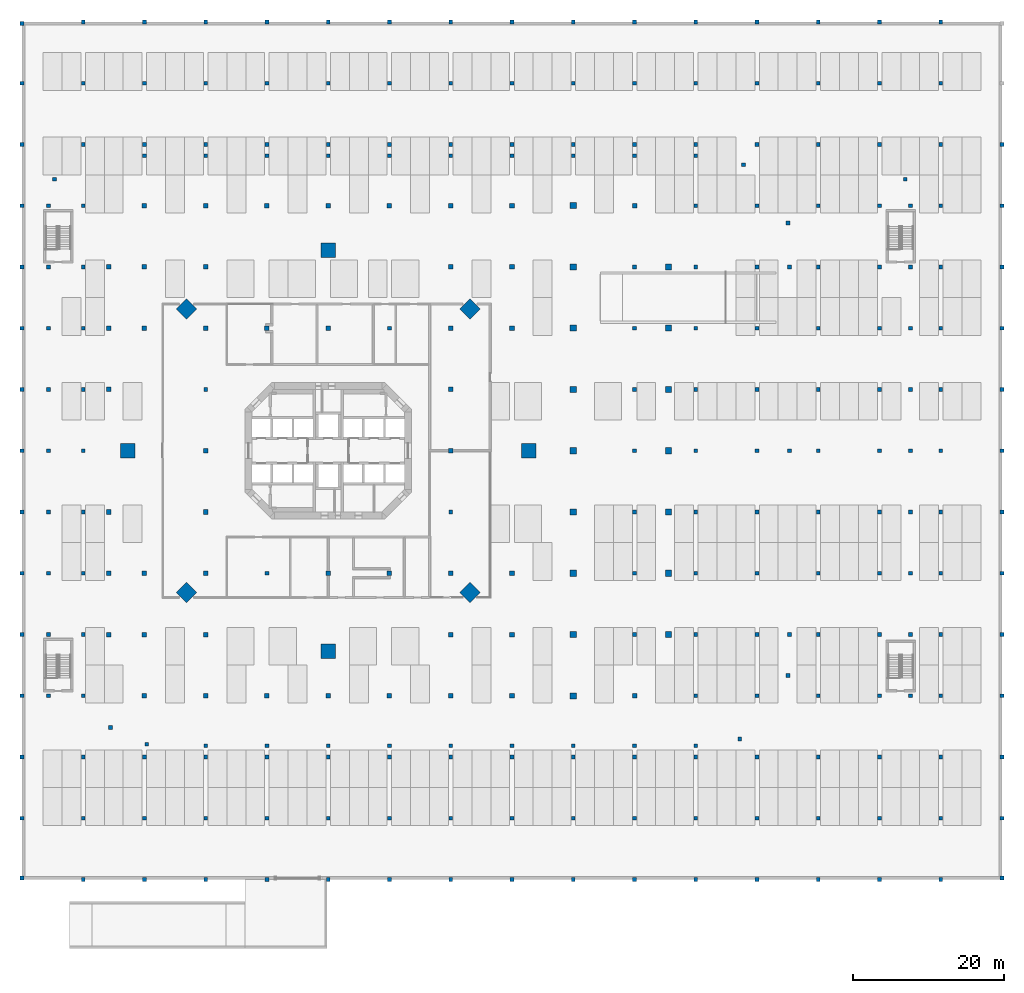
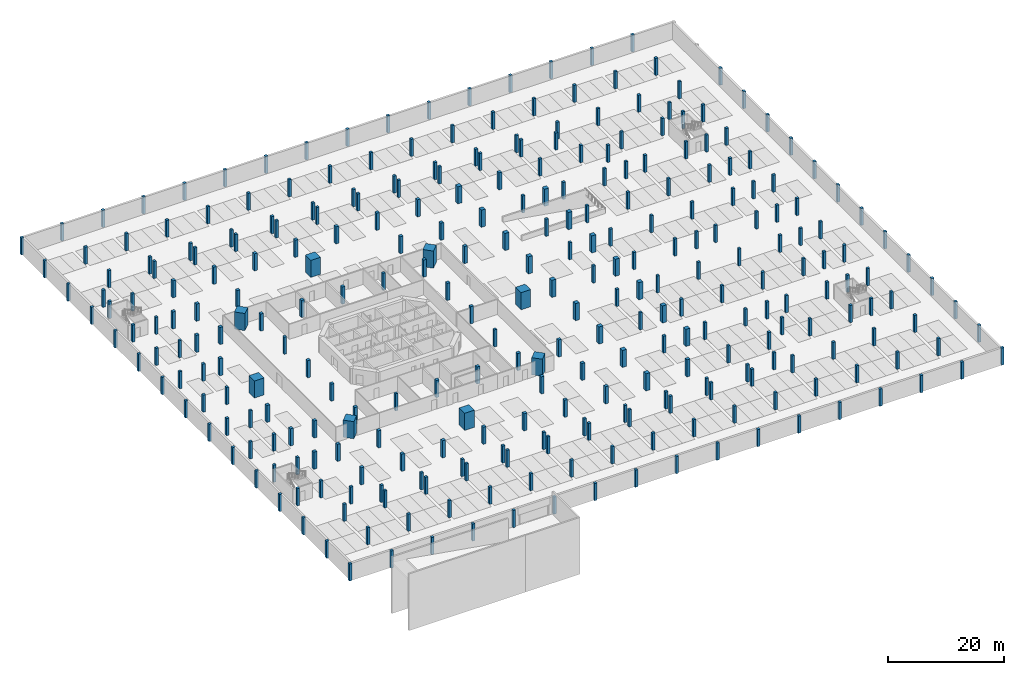
# One storey, part 1 of 14: 301 columns.
"""IFC4 building model written with IfcOpenShell, lengths in metres."""

from ifc_helpers import new_model, si_unit, direction, frame, origin, origin_2d, place, context, subcontext, project, spatial, rectangle, extrude, material, material_profile, profile_set, type_object, element, save


model = new_model("IFC4")

# Units and contexts
model_context = context("Model", 3, precision=1e-05, world=origin(), true_north=direction((0.0, 1.0)))
body_context = subcontext(model_context, "Body", "Model", "MODEL_VIEW")
ifc_project = project(units=[si_unit("LENGTHUNIT", "METRE"), si_unit("AREAUNIT", "SQUARE_METRE"), si_unit("VOLUMEUNIT", "CUBIC_METRE"), si_unit("PLANEANGLEUNIT", "RADIAN"), si_unit("MASSUNIT", "GRAM", prefix="KILO")], contexts=[model_context])

# Site, building, storey
site_placement = place(None, origin())
site = spatial("IfcSite", under=ifc_project, at=site_placement, CompositionType="ELEMENT")
building_placement = place(site_placement, origin())
building = spatial("IfcBuilding", under=site, at=building_placement, Name="Torre Triforio", CompositionType="ELEMENT")
storey_placement = place(building_placement, frame((0.0, 0.0, -3.60009765625)))
storey = spatial("IfcBuildingStorey", under=building, at=storey_placement, Name="B1", CompositionType="ELEMENT", Elevation=-3.60009765625)

# Columns
ifc_material_1 = material(Name="Concrete C50", Category="concrete")
ifc_material_profile_1 = material_profile(ifc_material_1, rectangle(XDim=0.5, YDim=0.5, at=origin_2d()), Name="RC 500x500")
ifc_profile_set_1 = profile_set([ifc_material_profile_1], Name="Concrete C50")
column_type_1 = type_object("IfcColumnType", Name="Column RC 500x500 C50", PredefinedType="COLUMN", material=ifc_profile_set_1)
for number, where, z_axis, x_axis, name in (
    (1, (-40.5, -56.5, 0.0), (0.0, 0.0, 1.0), (1.0, 0.0, 0.0), "COL.G.B1.1-A"),
    (2, (-40.5, -48.60009765625, 0.0), (0.0, 0.0, 1.0), (1.0, 0.0, 0.0), "COL.G.B1.1-B"),
    (3, (-40.5, -40.5, 0.0), (0.0, 0.0, 1.0), (1.0, 0.0, 0.0), "COL.G.B1.1-C"),
    (4, (-40.5, -32.39990234375, 0.0), (0.0, 0.0, 1.0), (1.0, 0.0, 0.0), "COL.G.B1.1-D"),
    (5, (-40.5, -24.300048828125, 0.0), (0.0, 0.0, 1.0), (1.0, 0.0, 0.0), "COL.G.B1.1-E"),
    (6, (-40.5, -16.199951171875, 0.0), (0.0, 0.0, 1.0), (1.0, 0.0, 0.0), "COL.G.B1.1-F"),
    (7, (-40.5, -8.10009765625, 0.0), (0.0, 0.0, 1.0), (1.0, 0.0, 0.0), "COL.G.B1.1-G"),
    (8, (-40.5, 0.0, 0.0), (0.0, 0.0, 1.0), (1.0, 0.0, 0.0), "COL.G.B1.1-H"),
    (9, (-40.5, 8.10009765625, 0.0), (0.0, 0.0, 1.0), (1.0, 0.0, 0.0), "COL.G.B1.1-I"),
    (10, (-40.5, 16.199951171875, 0.0), (0.0, 0.0, 1.0), (1.0, 0.0, 0.0), "COL.G.B1.1-J"),
    (11, (-40.5, 24.300048828125, 0.0), (0.0, 0.0, 1.0), (1.0, 0.0, 0.0), "COL.G.B1.1-K"),
    (12, (-40.5, 32.39990234375, 0.0), (0.0, 0.0, 1.0), (1.0, 0.0, 0.0), "COL.G.B1.1-L"),
    (13, (-40.5, 40.5, 0.0), (0.0, 0.0, 1.0), (1.0, 0.0, 0.0), "COL.G.B1.1-M"),
    (14, (-40.5, 48.60009765625, 0.0), (0.0, 0.0, 1.0), (1.0, 0.0, 0.0), "COL.G.B1.1-N"),
    (15, (-40.5, 56.5, 0.0), (0.0, 0.0, 1.0), (1.0, 0.0, 0.0), "COL.G.B1.1-O"),
    (16, (-32.39990234375, -56.699951171875, 0.0), (0.0, 0.0, 1.0), (1.0, 0.0, 0.0), "COL.G.B1.2-A"),
    (17, (-32.39990234375, -48.60009765625, 0.0), (0.0, 0.0, 1.0), (1.0, 0.0, 0.0), "COL.G.B1.2-B"),
    (18, (-32.39990234375, -40.5, 0.0), (0.0, 0.0, 1.0), (1.0, 0.0, 0.0), "COL.G.B1.2-C"),
    (19, (-32.39990234375, -32.39990234375, 0.0), (0.0, 0.0, 1.0), (1.0, 0.0, 0.0), "COL.G.B1.2-D"),
    (20, (-32.39990234375, -24.300048828125, 0.0), (0.0, 0.0, 1.0), (1.0, 0.0, 0.0), "COL.G.B1.2-E"),
    (21, (-32.39990234375, -16.199951171875, 0.0), (0.0, 0.0, 1.0), (1.0, 0.0, 0.0), "COL.G.B1.2-F"),
    (22, (-32.39990234375, -8.10009765625, 0.0), (0.0, 0.0, 1.0), (1.0, 0.0, 0.0), "COL.G.B1.2-G"),
    (23, (-32.39990234375, 0.0, 0.0), (0.0, 0.0, 1.0), (1.0, 0.0, 0.0), "COL.G.B1.2-H"),
    (24, (-32.39990234375, 8.10009765625, 0.0), (0.0, 0.0, 1.0), (1.0, 0.0, 0.0), "COL.G.B1.2-I"),
    (25, (-32.39990234375, 16.199951171875, 0.0), (0.0, 0.0, 1.0), (1.0, 0.0, 0.0), "COL.G.B1.2-J"),
    (26, (-32.39990234375, 24.300048828125, 0.0), (0.0, 0.0, 1.0), (1.0, 0.0, 0.0), "COL.G.B1.2-K"),
    (27, (-32.39990234375, 32.39990234375, 0.0), (0.0, 0.0, 1.0), (1.0, 0.0, 0.0), "COL.G.B1.2-L"),
    (28, (-32.39990234375, 40.5, 0.0), (0.0, 0.0, 1.0), (1.0, 0.0, 0.0), "COL.G.B1.2-M"),
    (29, (-32.39990234375, 48.60009765625, 0.0), (0.0, 0.0, 1.0), (1.0, 0.0, 0.0), "COL.G.B1.2-N"),
    (30, (-32.39990234375, 56.699951171875, 0.0), (0.0, 0.0, 1.0), (1.0, 0.0, 0.0), "COL.G.B1.2-O"),
    (31, (-24.300048828125, -56.699951171875, 0.0), (0.0, 0.0, 1.0), (1.0, 0.0, 0.0), "COL.G.B1.3-A"),
    (32, (-24.300048828125, -48.60009765625, 0.0), (0.0, 0.0, 1.0), (1.0, 0.0, 0.0), "COL.G.B1.3-B"),
    (33, (-24.300048828125, -40.5, 0.0), (0.0, 0.0, 1.0), (1.0, 0.0, 0.0), "COL.G.B1.3-C"),
    (34, (-24.300048828125, 40.5, 0.0), (0.0, 0.0, 1.0), (1.0, 0.0, 0.0), "COL.G.B1.3-M"),
    (35, (-24.300048828125, 48.60009765625, 0.0), (0.0, 0.0, 1.0), (1.0, 0.0, 0.0), "COL.G.B1.3-N"),
    (36, (-24.300048828125, 56.699951171875, 0.0), (0.0, 0.0, 1.0), (1.0, 0.0, 0.0), "COL.G.B1.3-O"),
    (37, (-16.199951171875, -56.699951171875, 0.0), (0.0, 0.0, 1.0), (1.0, 0.0, 0.0), "COL.G.B1.4-A"),
    (38, (-16.199951171875, -48.60009765625, 0.0), (0.0, 0.0, 1.0), (1.0, 0.0, 0.0), "COL.G.B1.4-B"),
    (39, (-16.199951171875, -40.5, 0.0), (0.0, 0.0, 1.0), (1.0, 0.0, 0.0), "COL.G.B1.4-C"),
    (40, (-16.199951171875, 8.10009765625, 0.0), (0.0, 0.0, 1.0), (1.0, 0.0, 0.0), "COL.G.B1.4-I"),
    (41, (-16.199951171875, 40.5, 0.0), (0.0, 0.0, 1.0), (1.0, 0.0, 0.0), "COL.G.B1.4-M"),
    (42, (-16.199951171875, 48.60009765625, 0.0), (0.0, 0.0, 1.0), (1.0, 0.0, 0.0), "COL.G.B1.4-N"),
    (43, (-16.199951171875, 56.699951171875, 0.0), (0.0, 0.0, 1.0), (1.0, 0.0, 0.0), "COL.G.B1.4-O"),
    (44, (-8.10009765625, -56.699951171875, 0.0), (0.0, 0.0, 1.0), (1.0, 0.0, 0.0), "COL.G.B1.5-A"),
    (45, (-8.10009765625, -48.60009765625, 0.0), (0.0, 0.0, 1.0), (1.0, 0.0, 0.0), "COL.G.B1.5-B"),
    (46, (-8.10009765625, -40.5, 0.0), (0.0, 0.0, 1.0), (1.0, 0.0, 0.0), "COL.G.B1.5-C"),
    (47, (-8.10009765625, -16.199951171875, 0.0), (0.0, 0.0, 1.0), (1.0, 0.0, 0.0), "COL.G.B1.5-F"),
    (48, (-8.10009765625, 40.5, 0.0), (0.0, 0.0, 1.0), (1.0, 0.0, 0.0), "COL.G.B1.5-M"),
    (49, (-8.10009765625, 48.60009765625, 0.0), (0.0, 0.0, 1.0), (1.0, 0.0, 0.0), "COL.G.B1.5-N"),
    (50, (-8.10009765625, 56.699951171875, 0.0), (0.0, 0.0, 1.0), (1.0, 0.0, 0.0), "COL.G.B1.5-O"),
    (51, (0.0, -56.699951171875, 0.0), (0.0, 0.0, 1.0), (1.0, 0.0, 0.0), "COL.G.B1.6-A"),
    (52, (0.0, -48.60009765625, 0.0), (0.0, 0.0, 1.0), (1.0, 0.0, 0.0), "COL.G.B1.6-B"),
    (53, (0.0, -40.5, 0.0), (0.0, 0.0, 1.0), (1.0, 0.0, 0.0), "COL.G.B1.6-C"),
    (54, (0.0, 40.5, 0.0), (0.0, 0.0, 1.0), (1.0, 0.0, 0.0), "COL.G.B1.6-M"),
    (55, (0.0, 48.60009765625, 0.0), (0.0, 0.0, 1.0), (1.0, 0.0, 0.0), "COL.G.B1.6-N"),
    (56, (0.0, 56.699951171875, 0.0), (0.0, 0.0, 1.0), (1.0, 0.0, 0.0), "COL.G.B1.6-O"),
    (57, (8.10009765625, -56.699951171875, 0.0), (0.0, 0.0, 1.0), (1.0, 0.0, 0.0), "COL.G.B1.7-A"),
    (58, (8.10009765625, -48.60009765625, 0.0), (0.0, 0.0, 1.0), (1.0, 0.0, 0.0), "COL.G.B1.7-B"),
    (59, (8.10009765625, -40.5, 0.0), (0.0, 0.0, 1.0), (1.0, 0.0, 0.0), "COL.G.B1.7-C"),
    (60, (8.10009765625, 16.199951171875, 0.0), (0.0, 0.0, 1.0), (1.0, 0.0, 0.0), "COL.G.B1.7-J"),
    (61, (8.10009765625, 40.5, 0.0), (0.0, 0.0, 1.0), (1.0, 0.0, 0.0), "COL.G.B1.7-M"),
    (62, (8.10009765625, 48.60009765625, 0.0), (0.0, 0.0, 1.0), (1.0, 0.0, 0.0), "COL.G.B1.7-N"),
    (63, (8.10009765625, 56.699951171875, 0.0), (0.0, 0.0, 1.0), (1.0, 0.0, 0.0), "COL.G.B1.7-O"),
    (64, (16.199951171875, -56.699951171875, 0.0), (0.0, 0.0, 1.0), (1.0, 0.0, 0.0), "COL.G.B1.8-A"),
    (65, (16.199951171875, -48.60009765625, 0.0), (0.0, 0.0, 1.0), (1.0, 0.0, 0.0), "COL.G.B1.8-B"),
    (66, (16.199951171875, -40.5, 0.0), (0.0, 0.0, 1.0), (1.0, 0.0, 0.0), "COL.G.B1.8-C"),
    (67, (16.199951171875, -8.10009765625, 0.0), (0.0, 0.0, 1.0), (1.0, 0.0, 0.0), "COL.G.B1.8-G"),
    (68, (16.199951171875, 40.5, 0.0), (0.0, 0.0, 1.0), (1.0, 0.0, 0.0), "COL.G.B1.8-M"),
    (69, (16.199951171875, 48.60009765625, 0.0), (0.0, 0.0, 1.0), (1.0, 0.0, 0.0), "COL.G.B1.8-N"),
    (70, (16.199951171875, 56.699951171875, 0.0), (0.0, 0.0, 1.0), (1.0, 0.0, 0.0), "COL.G.B1.8-O"),
    (71, (24.300048828125, -56.699951171875, 0.0), (0.0, 0.0, 1.0), (1.0, 0.0, 0.0), "COL.G.B1.9-A"),
    (72, (24.300048828125, -48.60009765625, 0.0), (0.0, 0.0, 1.0), (1.0, 0.0, 0.0), "COL.G.B1.9-B"),
    (73, (24.300048828125, -40.5, 0.0), (0.0, 0.0, 1.0), (1.0, 0.0, 0.0), "COL.G.B1.9-C"),
    (74, (24.300048828125, 40.5, 0.0), (0.0, 0.0, 1.0), (1.0, 0.0, 0.0), "COL.G.B1.9-M"),
    (75, (24.300048828125, 48.60009765625, 0.0), (0.0, 0.0, 1.0), (1.0, 0.0, 0.0), "COL.G.B1.9-N"),
    (76, (24.300048828125, 56.699951171875, 0.0), (0.0, 0.0, 1.0), (1.0, 0.0, 0.0), "COL.G.B1.9-O"),
    (77, (32.39990234375, -56.699951171875, 0.0), (0.0, 0.0, 1.0), (1.0, 0.0, 0.0), "COL.G.B1.10-A"),
    (78, (32.39990234375, -48.60009765625, 0.0), (0.0, 0.0, 1.0), (1.0, 0.0, 0.0), "COL.G.B1.10-B"),
    (79, (32.39990234375, -40.5, 0.0), (0.0, 0.0, 1.0), (1.0, 0.0, 0.0), "COL.G.B1.10-C"),
    (80, (32.39990234375, 40.5, 0.0), (0.0, 0.0, 1.0), (1.0, 0.0, 0.0), "COL.G.B1.10-M"),
    (81, (32.39990234375, 48.60009765625, 0.0), (0.0, 0.0, 1.0), (1.0, 0.0, 0.0), "COL.G.B1.10-N"),
    (82, (32.39990234375, 56.699951171875, 0.0), (0.0, 0.0, 1.0), (1.0, 0.0, 0.0), "COL.G.B1.10-O"),
    (83, (40.5, -56.699951171875, 0.0), (0.0, 0.0, 1.0), (1.0, 0.0, 0.0), "COL.G.B1.11-A"),
    (84, (40.5, -48.60009765625, 0.0), (0.0, 0.0, 1.0), (1.0, 0.0, 0.0), "COL.G.B1.11-B"),
    (85, (40.5, -40.5, 0.0), (0.0, 0.0, 1.0), (1.0, 0.0, 0.0), "COL.G.B1.11-C"),
    (86, (40.5, -24.300048828125, 0.0), (0.0, 0.0, 1.0), (1.0, 0.0, 0.0), "COL.G.B1.11-E"),
    (87, (40.5, -16.199951171875, 0.0), (0.0, 0.0, 1.0), (1.0, 0.0, 0.0), "COL.G.B1.11-F"),
    (88, (40.5, -8.10009765625, 0.0), (0.0, 0.0, 1.0), (1.0, 0.0, 0.0), "COL.G.B1.11-G"),
    (89, (40.5, 0.0, 0.0), (0.0, 0.0, 1.0), (1.0, 0.0, 0.0), "COL.G.B1.11-H"),
    (90, (40.5, 8.10009765625, 0.0), (0.0, 0.0, 1.0), (1.0, 0.0, 0.0), "COL.G.B1.11-I"),
    (91, (40.5, 16.199951171875, 0.0), (0.0, 0.0, 1.0), (1.0, 0.0, 0.0), "COL.G.B1.11-J"),
    (92, (40.5, 24.300048828125, 0.0), (0.0, 0.0, 1.0), (1.0, 0.0, 0.0), "COL.G.B1.11-K"),
    (93, (40.5, 40.5, 0.0), (0.0, 0.0, 1.0), (1.0, 0.0, 0.0), "COL.G.B1.11-M"),
    (94, (40.5, 48.60009765625, 0.0), (0.0, 0.0, 1.0), (1.0, 0.0, 0.0), "COL.G.B1.11-N"),
    (95, (40.5, 56.699951171875, 0.0), (0.0, 0.0, 1.0), (1.0, 0.0, 0.0), "COL.G.B1.11-O"),
    (96, (48.60009765625, -56.699951171875, 0.0), (0.0, 0.0, 1.0), (1.0, 0.0, 0.0), "COL.G.B1.12-A"),
    (97, (48.60009765625, -48.60009765625, 0.0), (0.0, 0.0, 1.0), (1.0, 0.0, 0.0), "COL.G.B1.12-B"),
    (98, (48.60009765625, -40.5, 0.0), (0.0, 0.0, 1.0), (1.0, 0.0, 0.0), "COL.G.B1.12-C"),
    (99, (48.60009765625, -32.39990234375, 0.0), (0.0, 0.0, 1.0), (1.0, 0.0, 0.0), "COL.G.B1.12-D"),
    (100, (48.60009765625, -24.300048828125, 0.0), (0.0, 0.0, 1.0), (1.0, 0.0, 0.0), "COL.G.B1.12-E"),
    (101, (48.60009765625, -16.199951171875, 0.0), (0.0, 0.0, 1.0), (1.0, 0.0, 0.0), "COL.G.B1.12-F"),
    (102, (48.60009765625, -8.10009765625, 0.0), (0.0, 0.0, 1.0), (1.0, 0.0, 0.0), "COL.G.B1.12-G"),
    (103, (48.60009765625, 0.0, 0.0), (0.0, 0.0, 1.0), (1.0, 0.0, 0.0), "COL.G.B1.12-H"),
    (104, (48.60009765625, 8.10009765625, 0.0), (0.0, 0.0, 1.0), (1.0, 0.0, 0.0), "COL.G.B1.12-I"),
    (105, (48.60009765625, 16.199951171875, 0.0), (0.0, 0.0, 1.0), (1.0, 0.0, 0.0), "COL.G.B1.12-J"),
    (106, (48.60009765625, 24.300048828125, 0.0), (0.0, 0.0, 1.0), (1.0, 0.0, 0.0), "COL.G.B1.12-K"),
    (107, (48.60009765625, 32.39990234375, 0.0), (0.0, 0.0, 1.0), (1.0, 0.0, 0.0), "COL.G.B1.12-L"),
    (108, (48.60009765625, 40.5, 0.0), (0.0, 0.0, 1.0), (1.0, 0.0, 0.0), "COL.G.B1.12-M"),
    (109, (48.60009765625, 48.60009765625, 0.0), (0.0, 0.0, 1.0), (1.0, 0.0, 0.0), "COL.G.B1.12-N"),
    (110, (48.60009765625, 56.699951171875, 0.0), (0.0, 0.0, 1.0), (1.0, 0.0, 0.0), "COL.G.B1.12-O"),
    (111, (56.699951171875, -56.699951171875, 0.0), (0.0, 0.0, 1.0), (1.0, 0.0, 0.0), "COL.G.B1.13-A"),
    (112, (56.699951171875, -48.60009765625, 0.0), (0.0, 0.0, 1.0), (1.0, 0.0, 0.0), "COL.G.B1.13-B"),
    (113, (56.699951171875, -40.5, 0.0), (0.0, 0.0, 1.0), (1.0, 0.0, 0.0), "COL.G.B1.13-C"),
    (114, (56.699951171875, -32.39990234375, 0.0), (0.0, 0.0, 1.0), (1.0, 0.0, 0.0), "COL.G.B1.13-D"),
    (115, (56.699951171875, -24.300048828125, 0.0), (0.0, 0.0, 1.0), (1.0, 0.0, 0.0), "COL.G.B1.13-E"),
    (116, (56.699951171875, -16.199951171875, 0.0), (0.0, 0.0, 1.0), (1.0, 0.0, 0.0), "COL.G.B1.13-F"),
    (117, (56.699951171875, -8.10009765625, 0.0), (0.0, 0.0, 1.0), (1.0, 0.0, 0.0), "COL.G.B1.13-G"),
    (118, (56.699951171875, 0.0, 0.0), (0.0, 0.0, 1.0), (1.0, 0.0, 0.0), "COL.G.B1.13-H"),
    (119, (56.699951171875, 8.10009765625, 0.0), (0.0, 0.0, 1.0), (1.0, 0.0, 0.0), "COL.G.B1.13-I"),
    (120, (56.699951171875, 16.199951171875, 0.0), (0.0, 0.0, 1.0), (1.0, 0.0, 0.0), "COL.G.B1.13-J"),
    (121, (56.699951171875, 24.300048828125, 0.0), (0.0, 0.0, 1.0), (1.0, 0.0, 0.0), "COL.G.B1.13-K"),
    (122, (56.699951171875, 32.39990234375, 0.0), (0.0, 0.0, 1.0), (1.0, 0.0, 0.0), "COL.G.B1.13-L"),
    (123, (56.699951171875, 40.5, 0.0), (0.0, 0.0, 1.0), (1.0, 0.0, 0.0), "COL.G.B1.13-M"),
    (124, (56.699951171875, 48.60009765625, 0.0), (0.0, 0.0, 1.0), (1.0, 0.0, 0.0), "COL.G.B1.13-N"),
    (125, (56.699951171875, 56.699951171875, 0.0), (0.0, 0.0, 1.0), (1.0, 0.0, 0.0), "COL.G.B1.13-O"),
    (126, (64.800048828125, -56.699951171875, 0.0), (0.0, 0.0, 1.0), (1.0, 0.0, 0.0), "COL.G.B1.14-A"),
    (127, (64.800048828125, -48.60009765625, 0.0), (0.0, 0.0, 1.0), (1.0, 0.0, 0.0), "COL.G.B1.14-B"),
    (128, (64.800048828125, -40.5, 0.0), (0.0, 0.0, 1.0), (1.0, 0.0, 0.0), "COL.G.B1.14-C"),
    (129, (64.800048828125, -32.39990234375, 0.0), (0.0, 0.0, 1.0), (1.0, 0.0, 0.0), "COL.G.B1.14-D"),
    (130, (64.800048828125, -24.300048828125, 0.0), (0.0, 0.0, 1.0), (1.0, 0.0, 0.0), "COL.G.B1.14-E"),
    (131, (64.800048828125, -16.199951171875, 0.0), (0.0, 0.0, 1.0), (1.0, 0.0, 0.0), "COL.G.B1.14-F"),
    (132, (64.800048828125, -8.10009765625, 0.0), (0.0, 0.0, 1.0), (1.0, 0.0, 0.0), "COL.G.B1.14-G"),
    (133, (64.800048828125, 0.0, 0.0), (0.0, 0.0, 1.0), (1.0, 0.0, 0.0), "COL.G.B1.14-H"),
    (134, (64.800048828125, 8.10009765625, 0.0), (0.0, 0.0, 1.0), (1.0, 0.0, 0.0), "COL.G.B1.14-I"),
    (135, (64.800048828125, 16.199951171875, 0.0), (0.0, 0.0, 1.0), (1.0, 0.0, 0.0), "COL.G.B1.14-J"),
    (136, (64.800048828125, 24.300048828125, 0.0), (0.0, 0.0, 1.0), (1.0, 0.0, 0.0), "COL.G.B1.14-K"),
    (137, (64.800048828125, 32.39990234375, 0.0), (0.0, 0.0, 1.0), (1.0, 0.0, 0.0), "COL.G.B1.14-L"),
    (138, (64.800048828125, 40.5, 0.0), (0.0, 0.0, 1.0), (1.0, 0.0, 0.0), "COL.G.B1.14-M"),
    (139, (64.800048828125, 48.60009765625, 0.0), (0.0, 0.0, 1.0), (1.0, 0.0, 0.0), "COL.G.B1.14-N"),
    (140, (64.800048828125, 56.699951171875, 0.0), (0.0, 0.0, 1.0), (1.0, 0.0, 0.0), "COL.G.B1.14-O"),
    (141, (72.89990234375, -56.699951171875, 0.0), (0.0, 0.0, 1.0), (1.0, 0.0, 0.0), "COL.G.B1.15-A"),
    (142, (72.89990234375, -48.60009765625, 0.0), (0.0, 0.0, 1.0), (1.0, 0.0, 0.0), "COL.G.B1.15-B"),
    (143, (72.89990234375, -40.5, 0.0), (0.0, 0.0, 1.0), (1.0, 0.0, 0.0), "COL.G.B1.15-C"),
    (144, (72.89990234375, -32.39990234375, 0.0), (0.0, 0.0, 1.0), (1.0, 0.0, 0.0), "COL.G.B1.15-D"),
    (145, (72.89990234375, -24.300048828125, 0.0), (0.0, 0.0, 1.0), (1.0, 0.0, 0.0), "COL.G.B1.15-E"),
    (146, (72.89990234375, -16.199951171875, 0.0), (0.0, 0.0, 1.0), (1.0, 0.0, 0.0), "COL.G.B1.15-F"),
    (147, (72.89990234375, -8.10009765625, 0.0), (0.0, 0.0, 1.0), (1.0, 0.0, 0.0), "COL.G.B1.15-G"),
    (148, (72.89990234375, 0.0, 0.0), (0.0, 0.0, 1.0), (1.0, 0.0, 0.0), "COL.G.B1.15-H"),
    (149, (72.89990234375, 8.10009765625, 0.0), (0.0, 0.0, 1.0), (1.0, 0.0, 0.0), "COL.G.B1.15-I"),
    (150, (72.89990234375, 16.199951171875, 0.0), (0.0, 0.0, 1.0), (1.0, 0.0, 0.0), "COL.G.B1.15-J"),
    (151, (72.89990234375, 24.300048828125, 0.0), (0.0, 0.0, 1.0), (1.0, 0.0, 0.0), "COL.G.B1.15-K"),
    (152, (72.89990234375, 32.39990234375, 0.0), (0.0, 0.0, 1.0), (1.0, 0.0, 0.0), "COL.G.B1.15-L"),
    (153, (72.89990234375, 40.5, 0.0), (0.0, 0.0, 1.0), (1.0, 0.0, 0.0), "COL.G.B1.15-M"),
    (154, (72.89990234375, 48.60009765625, 0.0), (0.0, 0.0, 1.0), (1.0, 0.0, 0.0), "COL.G.B1.15-N"),
    (155, (72.89990234375, 56.699951171875, 0.0), (0.0, 0.0, 1.0), (1.0, 0.0, 0.0), "COL.G.B1.15-O"),
    (156, (81.0, -56.699951171875, 0.0), (0.0, 0.0, 1.0), (1.0, 0.0, 0.0), "COL.G.B1.16-A"),
    (157, (81.0, -48.60009765625, 0.0), (0.0, 0.0, 1.0), (1.0, 0.0, 0.0), "COL.G.B1.16-B"),
    (158, (81.0, -40.5, 0.0), (0.0, 0.0, 1.0), (1.0, 0.0, 0.0), "COL.G.B1.16-C"),
    (159, (81.0, -32.39990234375, 0.0), (0.0, 0.0, 1.0), (1.0, 0.0, 0.0), "COL.G.B1.16-D"),
    (160, (81.0, -24.300048828125, 0.0), (0.0, 0.0, 1.0), (1.0, 0.0, 0.0), "COL.G.B1.16-E"),
    (161, (81.0, -16.199951171875, 0.0), (0.0, 0.0, 1.0), (1.0, 0.0, 0.0), "COL.G.B1.16-F"),
    (162, (81.0, -8.10009765625, 0.0), (0.0, 0.0, 1.0), (1.0, 0.0, 0.0), "COL.G.B1.16-G"),
    (163, (81.0, 0.0, 0.0), (0.0, 0.0, 1.0), (1.0, 0.0, 0.0), "COL.G.B1.16-H"),
    (164, (81.0, 8.10009765625, 0.0), (0.0, 0.0, 1.0), (1.0, 0.0, 0.0), "COL.G.B1.16-I"),
    (165, (81.0, 16.199951171875, 0.0), (0.0, 0.0, 1.0), (1.0, 0.0, 0.0), "COL.G.B1.16-J"),
    (166, (81.0, 24.300048828125, 0.0), (0.0, 0.0, 1.0), (1.0, 0.0, 0.0), "COL.G.B1.16-K"),
    (167, (81.0, 32.39990234375, 0.0), (0.0, 0.0, 1.0), (1.0, 0.0, 0.0), "COL.G.B1.16-L"),
    (168, (81.0, 40.5, 0.0), (0.0, 0.0, 1.0), (1.0, 0.0, 0.0), "COL.G.B1.16-M"),
    (169, (81.0, 48.60009765625, 0.0), (0.0, 0.0, 1.0), (1.0, 0.0, 0.0), "COL.G.B1.16-N"),
    (170, (81.0, 56.699951171875, 0.0), (0.0, 0.0, 1.0), (1.0, 0.0, 0.0), "COL.G.B1.16-O"),
    (171, (89.10009765625, -56.5, 0.0), (0.0, 0.0, 1.0), (1.0, 0.0, 0.0), "COL.G.B1.17-A"),
    (172, (89.10009765625, -48.60009765625, 0.0), (0.0, 0.0, 1.0), (1.0, 0.0, 0.0), "COL.G.B1.17-B"),
    (173, (89.10009765625, -40.5, 0.0), (0.0, 0.0, 1.0), (1.0, 0.0, 0.0), "COL.G.B1.17-C"),
    (174, (89.10009765625, -32.39990234375, 0.0), (0.0, 0.0, 1.0), (1.0, 0.0, 0.0), "COL.G.B1.17-D"),
    (175, (89.10009765625, -24.300048828125, 0.0), (0.0, 0.0, 1.0), (1.0, 0.0, 0.0), "COL.G.B1.17-E"),
    (176, (89.10009765625, -16.199951171875, 0.0), (0.0, 0.0, 1.0), (1.0, 0.0, 0.0), "COL.G.B1.17-F"),
    (177, (89.10009765625, -8.10009765625, 0.0), (0.0, 0.0, 1.0), (1.0, 0.0, 0.0), "COL.G.B1.17-G"),
    (178, (89.10009765625, 0.0, 0.0), (0.0, 0.0, 1.0), (1.0, 0.0, 0.0), "COL.G.B1.17-H"),
    (179, (89.10009765625, 8.10009765625, 0.0), (0.0, 0.0, 1.0), (1.0, 0.0, 0.0), "COL.G.B1.17-I"),
    (180, (89.10009765625, 16.199951171875, 0.0), (0.0, 0.0, 1.0), (1.0, 0.0, 0.0), "COL.G.B1.17-J"),
    (181, (89.10009765625, 24.300048828125, 0.0), (0.0, 0.0, 1.0), (1.0, 0.0, 0.0), "COL.G.B1.17-K"),
    (182, (89.10009765625, 32.39990234375, 0.0), (0.0, 0.0, 1.0), (1.0, 0.0, 0.0), "COL.G.B1.17-L"),
    (183, (89.10009765625, 40.5, 0.0), (0.0, 0.0, 1.0), (1.0, 0.0, 0.0), "COL.G.B1.17-M"),
    (184, (0.0, -39.0, 0.0), (0.0, 0.0, 1.0), (1.0, 0.0, 0.0), "COL.E.B1.ED-07"),
    (185, (48.60009765625, 39.0, 0.0), (0.0, 0.0, 1.0), (1.0, 0.0, 0.0), "COL.E.B1.ED-08"),
    (186, (-8.10009765625, -39.0, 0.0), (0.0, 0.0, 1.0), (1.0, 0.0, 0.0), "COL.E.B1.ED-09"),
    (187, (40.5, 39.0, 0.0), (0.0, 0.0, 1.0), (1.0, 0.0, 0.0), "COL.E.B1.ED-10"),
    (188, (8.10009765625, -39.0, 0.0), (0.0, 0.0, 1.0), (1.0, 0.0, 0.0), "COL.E.B1.ED-11"),
    (189, (-16.199951171875, -39.0, 0.0), (0.0, 0.0, 1.0), (1.0, 0.0, 0.0), "COL.E.B1.ED-12"),
    (190, (32.39990234375, 39.0, 0.0), (0.0, 0.0, 1.0), (1.0, 0.0, 0.0), "COL.E.B1.ED-13"),
    (191, (-24.300048828125, 39.0, 0.0), (0.0, 0.0, 1.0), (1.0, 0.0, 0.0), "COL.E.B1.ED-14"),
    (192, (16.199951171875, -39.0, 0.0), (0.0, 0.0, 1.0), (1.0, 0.0, 0.0), "COL.E.B1.ED-15"),
    (193, (24.300048828125, 39.0, 0.0), (0.0, 0.0, 1.0), (1.0, 0.0, 0.0), "COL.E.B1.ED-16"),
    (194, (-16.199951171875, 39.0, 0.0), (0.0, 0.0, 1.0), (1.0, 0.0, 0.0), "COL.E.B1.ED-17"),
    (195, (24.300048828125, -39.0, 0.0), (0.0, 0.0, 1.0), (1.0, 0.0, 0.0), "COL.E.B1.ED-18"),
    (196, (16.199951171875, 39.0, 0.0), (0.0, 0.0, 1.0), (1.0, 0.0, 0.0), "COL.E.B1.ED-19"),
    (197, (-8.10009765625, 39.0, 0.0), (0.0, 0.0, 1.0), (1.0, 0.0, 0.0), "COL.E.B1.ED-20"),
    (198, (48.60009765625, -39.0, 0.0), (0.0, 0.0, 1.0), (1.0, 0.0, 0.0), "COL.E.B1.ED-21"),
    (199, (32.39990234375, -39.0, 0.0), (0.0, 0.0, 1.0), (1.0, 0.0, 0.0), "COL.E.B1.ED-22"),
    (200, (8.10009765625, 39.0, 0.0), (0.0, 0.0, 1.0), (1.0, 0.0, 0.0), "COL.E.B1.ED-23"),
    (201, (0.0, 39.0, 0.0), (0.0, 0.0, 1.0), (1.0, 0.0, 0.0), "COL.E.B1.ED-24"),
    (202, (40.5, -39.0, 0.0), (0.0, 0.0, 1.0), (1.0, 0.0, 0.0), "COL.E.B1.ED-25"),
    (203, (-24.0, -38.800048828125, 0.0), (0.0, 0.0, 1.0), (1.0, 0.0, 0.0), "COL.E.B1.ED-26"),
    (204, (61.0, 24.300048828125, 0.0), (0.0, 0.0, 1.0), (1.0, 0.0, 0.0), "COL.E.B1.ED-27"),
    (205, (61.0, 0.0, 0.0), (0.0, 0.0, 1.0), (1.0, 0.0, 0.0), "COL.E.B1.ED-28"),
    (206, (54.89990234375, 37.800048828125, 0.0), (0.0, 0.0, 1.0), (1.0, 0.0, 0.0), "COL.E.B1.ED-29"),
    (207, (61.0, -24.300048828125, 0.0), (0.0, 0.0, 1.0), (1.0, 0.0, 0.0), "COL.E.B1.ED-30"),
    (208, (54.39990234375, -38.10009765625, 0.0), (0.0, 0.0, 1.0), (1.0, 0.0, 0.0), "COL.E.B1.ED-31"),
    (209, (-28.800048828125, -36.60009765625, 0.0), (0.0, 0.0, 1.0), (1.0, 0.0, 0.0), "COL.E.B1.ED-32"),
    (210, (60.800048828125, -29.699951171875, 0.0), (0.0, 0.0, 1.0), (1.0, 0.0, 0.0), "COL.E.B1.ED-33"),
    (211, (60.800048828125, 30.10009765625, 0.0), (0.0, 0.0, 1.0), (1.0, 0.0, 0.0), "COL.E.B1.ED-34"),
    (212, (-37.0, 24.300048828125, 0.0), (0.0, 0.0, 1.0), (1.0, 0.0, 0.0), "COL.E.B1.ED-35"),
    (213, (-37.0, 16.199951171875, 0.0), (0.0, 0.0, 1.0), (1.0, 0.0, 0.0), "COL.E.B1.ED-36"),
    (214, (-37.0, 8.10009765625, 0.0), (0.0, 0.0, 1.0), (1.0, 0.0, 0.0), "COL.E.B1.ED-37"),
    (215, (-37.0, 0.0, 0.0), (0.0, 0.0, 1.0), (1.0, 0.0, 0.0), "COL.E.B1.ED-38"),
    (216, (-37.0, -32.39990234375, 0.0), (0.0, 0.0, 1.0), (1.0, 0.0, 0.0), "COL.E.B1.ED-39"),
    (217, (-37.0, -8.10009765625, 0.0), (0.0, 0.0, 1.0), (1.0, 0.0, 0.0), "COL.E.B1.ED-40"),
    (218, (-37.0, -24.300048828125, 0.0), (0.0, 0.0, 1.0), (1.0, 0.0, 0.0), "COL.E.B1.ED-41"),
    (219, (77.0, 16.199951171875, 0.0), (0.0, 0.0, 1.0), (1.0, 0.0, 0.0), "COL.E.B1.ED-42"),
    (220, (77.0, 24.300048828125, 0.0), (0.0, 0.0, 1.0), (1.0, 0.0, 0.0), "COL.E.B1.ED-43"),
    (221, (77.0, 8.10009765625, 0.0), (0.0, 0.0, 1.0), (1.0, 0.0, 0.0), "COL.E.B1.ED-44"),
    (222, (77.0, 0.0, 0.0), (0.0, 0.0, 1.0), (1.0, 0.0, 0.0), "COL.E.B1.ED-45"),
    (223, (77.0, -8.10009765625, 0.0), (0.0, 0.0, 1.0), (1.0, 0.0, 0.0), "COL.E.B1.ED-46"),
    (224, (77.0, -16.199951171875, 0.0), (0.0, 0.0, 1.0), (1.0, 0.0, 0.0), "COL.E.B1.ED-47"),
    (225, (77.0, -32.39990234375, 0.0), (0.0, 0.0, 1.0), (1.0, 0.0, 0.0), "COL.E.B1.ED-48"),
    (226, (-36.199951171875, 35.89990234375, 0.0), (0.0, 0.0, 1.0), (1.0, 0.0, 0.0), "COL.E.B1.ED-49"),
    (227, (-37.0, 32.39990234375, 0.0), (0.0, 0.0, 1.0), (1.0, 0.0, 0.0), "COL.E.B1.ED-50"),
    (228, (-37.0, -16.199951171875, 0.0), (0.0, 0.0, 1.0), (1.0, 0.0, 0.0), "COL.E.B1.ED-51"),
    (229, (76.300048828125, 35.89990234375, 0.0), (0.0, 0.0, 1.0), (1.0, 0.0, 0.0), "COL.E.B1.ED-52"),
    (230, (77.0, -24.300048828125, 0.0), (0.0, 0.0, 1.0), (1.0, 0.0, 0.0), "COL.E.B1.ED-53"),
    (231, (77.0, 32.39990234375, 0.0), (0.0, 0.0, 1.0), (1.0, 0.0, 0.0), "COL.E.B1.ED-54"),
):
    element("IfcColumn", number, at=place(storey_placement, frame(where, z_axis=z_axis, x_axis=x_axis)), inside=storey, type_object=column_type_1, Name=name, PredefinedType="COLUMN", context=body_context, shape_type="SweptSolid", body=[
        extrude(rectangle(XDim=0.5, YDim=0.5, at=origin_2d()), origin(), (0.0, 0.0, 1.0), 3.60009765625),
    ])
ifc_material_profile_2 = material_profile(ifc_material_1, rectangle(XDim=0.60009765625, YDim=0.60009765625, at=origin_2d()), Name="RC 600x600")
ifc_profile_set_2 = profile_set([ifc_material_profile_2], Name="Concrete C50")
column_type_2 = type_object("IfcColumnType", Name="Column RC 600x600 C50", PredefinedType="COLUMN", material=ifc_profile_set_2)
for number, where, z_axis, x_axis, name in (
    (232, (-24.300048828125, -32.39990234375, 0.0), (0.0, 0.0, 1.0), (1.0, 0.0, 0.0), "COL.G.B1.3-D"),
    (233, (-24.300048828125, -24.300048828125, 0.0), (0.0, 0.0, 1.0), (1.0, 0.0, 0.0), "COL.G.B1.3-E"),
    (234, (-24.300048828125, -16.199951171875, 0.0), (0.0, 0.0, 1.0), (1.0, 0.0, 0.0), "COL.G.B1.3-F"),
    (235, (-24.300048828125, 16.199951171875, 0.0), (0.0, 0.0, 1.0), (1.0, 0.0, 0.0), "COL.G.B1.3-J"),
    (236, (-24.300048828125, 24.300048828125, 0.0), (0.0, 0.0, 1.0), (1.0, 0.0, 0.0), "COL.G.B1.3-K"),
    (237, (-24.300048828125, 32.39990234375, 0.0), (0.0, 0.0, 1.0), (1.0, 0.0, 0.0), "COL.G.B1.3-L"),
    (238, (-16.199951171875, -32.39990234375, 0.0), (0.0, 0.0, 1.0), (1.0, 0.0, 0.0), "COL.G.B1.4-D"),
    (239, (-16.199951171875, -24.300048828125, 0.0), (0.0, 0.0, 1.0), (1.0, 0.0, 0.0), "COL.G.B1.4-E"),
    (240, (-16.199951171875, -16.199951171875, 0.0), (0.0, 0.0, 1.0), (1.0, 0.0, 0.0), "COL.G.B1.4-F"),
    (241, (-16.199951171875, -8.10009765625, 0.0), (0.0, 0.0, 1.0), (1.0, 0.0, 0.0), "COL.G.B1.4-G"),
    (242, (-16.199951171875, 0.0, 0.0), (0.0, 0.0, 1.0), (1.0, 0.0, 0.0), "COL.G.B1.4-H"),
    (243, (-16.199951171875, 16.199951171875, 0.0), (0.0, 0.0, 1.0), (1.0, 0.0, 0.0), "COL.G.B1.4-J"),
    (244, (-16.199951171875, 24.300048828125, 0.0), (0.0, 0.0, 1.0), (1.0, 0.0, 0.0), "COL.G.B1.4-K"),
    (245, (-16.199951171875, 32.39990234375, 0.0), (0.0, 0.0, 1.0), (1.0, 0.0, 0.0), "COL.G.B1.4-L"),
    (246, (-8.10009765625, -32.39990234375, 0.0), (0.0, 0.0, 1.0), (1.0, 0.0, 0.0), "COL.G.B1.5-D"),
    (247, (-8.10009765625, 16.199951171875, 0.0), (0.0, 0.0, 1.0), (1.0, 0.0, 0.0), "COL.G.B1.5-J"),
    (248, (-8.10009765625, 32.39990234375, 0.0), (0.0, 0.0, 1.0), (1.0, 0.0, 0.0), "COL.G.B1.5-L"),
    (249, (0.0, -32.39990234375, 0.0), (0.0, 0.0, 1.0), (1.0, 0.0, 0.0), "COL.G.B1.6-D"),
    (250, (0.0, -16.199951171875, 0.0), (0.0, 0.0, 1.0), (1.0, 0.0, 0.0), "COL.G.B1.6-F"),
    (251, (0.0, 16.199951171875, 0.0), (0.0, 0.0, 1.0), (1.0, 0.0, 0.0), "COL.G.B1.6-J"),
    (252, (0.0, 32.39990234375, 0.0), (0.0, 0.0, 1.0), (1.0, 0.0, 0.0), "COL.G.B1.6-L"),
    (253, (8.10009765625, -32.39990234375, 0.0), (0.0, 0.0, 1.0), (1.0, 0.0, 0.0), "COL.G.B1.7-D"),
    (254, (8.10009765625, -16.199951171875, 0.0), (0.0, 0.0, 1.0), (1.0, 0.0, 0.0), "COL.G.B1.7-F"),
    (255, (8.10009765625, 32.39990234375, 0.0), (0.0, 0.0, 1.0), (1.0, 0.0, 0.0), "COL.G.B1.7-L"),
    (256, (16.199951171875, -32.39990234375, 0.0), (0.0, 0.0, 1.0), (1.0, 0.0, 0.0), "COL.G.B1.8-D"),
    (257, (16.199951171875, -24.300048828125, 0.0), (0.0, 0.0, 1.0), (1.0, 0.0, 0.0), "COL.G.B1.8-E"),
    (258, (16.199951171875, -16.199951171875, 0.0), (0.0, 0.0, 1.0), (1.0, 0.0, 0.0), "COL.G.B1.8-F"),
    (259, (16.199951171875, 0.0, 0.0), (0.0, 0.0, 1.0), (1.0, 0.0, 0.0), "COL.G.B1.8-H"),
    (260, (16.199951171875, 8.10009765625, 0.0), (0.0, 0.0, 1.0), (1.0, 0.0, 0.0), "COL.G.B1.8-I"),
    (261, (16.199951171875, 16.199951171875, 0.0), (0.0, 0.0, 1.0), (1.0, 0.0, 0.0), "COL.G.B1.8-J"),
    (262, (16.199951171875, 24.300048828125, 0.0), (0.0, 0.0, 1.0), (1.0, 0.0, 0.0), "COL.G.B1.8-K"),
    (263, (16.199951171875, 32.39990234375, 0.0), (0.0, 0.0, 1.0), (1.0, 0.0, 0.0), "COL.G.B1.8-L"),
    (264, (24.300048828125, -32.39990234375, 0.0), (0.0, 0.0, 1.0), (1.0, 0.0, 0.0), "COL.G.B1.9-D"),
    (265, (24.300048828125, -24.300048828125, 0.0), (0.0, 0.0, 1.0), (1.0, 0.0, 0.0), "COL.G.B1.9-E"),
    (266, (24.300048828125, -16.199951171875, 0.0), (0.0, 0.0, 1.0), (1.0, 0.0, 0.0), "COL.G.B1.9-F"),
    (267, (24.300048828125, 16.199951171875, 0.0), (0.0, 0.0, 1.0), (1.0, 0.0, 0.0), "COL.G.B1.9-J"),
    (268, (24.300048828125, 24.300048828125, 0.0), (0.0, 0.0, 1.0), (1.0, 0.0, 0.0), "COL.G.B1.9-K"),
    (269, (24.300048828125, 32.39990234375, 0.0), (0.0, 0.0, 1.0), (1.0, 0.0, 0.0), "COL.G.B1.9-L"),
    (270, (40.5, -32.39990234375, 0.0), (0.0, 0.0, 1.0), (1.0, 0.0, 0.0), "COL.G.B1.11-D"),
    (271, (40.5, 32.39990234375, 0.0), (0.0, 0.0, 1.0), (1.0, 0.0, 0.0), "COL.G.B1.11-L"),
    (272, (-29.0, 24.300048828125, 0.0), (0.0, 0.0, 1.0), (1.0, 0.0, 0.0), "COL.E.B1.ED-01"),
    (273, (-29.0, 16.199951171875, 0.0), (0.0, 0.0, 1.0), (1.0, 0.0, 0.0), "COL.E.B1.ED-02"),
    (274, (-29.0, -24.300048828125, 0.0), (0.0, 0.0, 1.0), (1.0, 0.0, 0.0), "COL.E.B1.ED-03"),
    (275, (-29.0, -16.199951171875, 0.0), (0.0, 0.0, 1.0), (1.0, 0.0, 0.0), "COL.E.B1.ED-04"),
    (276, (-29.0, 8.10009765625, 0.0), (0.0, 0.0, 1.0), (1.0, 0.0, 0.0), "COL.E.B1.ED-05"),
    (277, (-29.0, -8.10009765625, 0.0), (0.0, 0.0, 1.0), (1.0, 0.0, 0.0), "COL.E.B1.ED-06"),
):
    element("IfcColumn", number, at=place(storey_placement, frame(where, z_axis=z_axis, x_axis=x_axis)), inside=storey, type_object=column_type_2, Name=name, PredefinedType="COLUMN", context=body_context, shape_type="SweptSolid", body=[
        extrude(rectangle(XDim=0.60009765625, YDim=0.60009765625, at=origin_2d()), origin(), (0.0, 0.0, 1.0), 3.60009765625),
    ])
ifc_material_profile_3 = material_profile(ifc_material_1, rectangle(XDim=0.800048828125, YDim=0.800048828125, at=origin_2d()), Name="RC 800x800")
ifc_profile_set_3 = profile_set([ifc_material_profile_3], Name="Concrete C50")
column_type_3 = type_object("IfcColumnType", Name="Column RC 800x800 C50", PredefinedType="COLUMN", material=ifc_profile_set_3)
for number, where, z_axis, x_axis, name in (
    (278, (32.39990234375, -32.39990234375, 0.0), (0.0, 0.0, 1.0), (1.0, 0.0, 0.0), "COL.G.B1.10-D"),
    (279, (32.39990234375, -24.300048828125, 0.0), (0.0, 0.0, 1.0), (1.0, 0.0, 0.0), "COL.G.B1.10-E"),
    (280, (32.39990234375, -16.199951171875, 0.0), (0.0, 0.0, 1.0), (1.0, 0.0, 0.0), "COL.G.B1.10-F"),
    (281, (32.39990234375, -8.10009765625, 0.0), (0.0, 0.0, 1.0), (1.0, 0.0, 0.0), "COL.G.B1.10-G"),
    (282, (32.39990234375, 0.0, 0.0), (0.0, 0.0, 1.0), (1.0, 0.0, 0.0), "COL.G.B1.10-H"),
    (283, (32.39990234375, 8.10009765625, 0.0), (0.0, 0.0, 1.0), (1.0, 0.0, 0.0), "COL.G.B1.10-I"),
    (284, (32.39990234375, 16.199951171875, 0.0), (0.0, 0.0, 1.0), (1.0, 0.0, 0.0), "COL.G.B1.10-J"),
    (285, (32.39990234375, 24.300048828125, 0.0), (0.0, 0.0, 1.0), (1.0, 0.0, 0.0), "COL.G.B1.10-K"),
    (286, (32.39990234375, 32.39990234375, 0.0), (0.0, 0.0, 1.0), (1.0, 0.0, 0.0), "COL.G.B1.10-L"),
    (287, (45.0, -24.300048828125, 0.0), (0.0, 0.0, 1.0), (1.0, 0.0, 0.0), "COL.E.B1.EL-E"),
    (288, (45.0, -16.199951171875, 0.0), (0.0, 0.0, 1.0), (1.0, 0.0, 0.0), "COL.E.B1.EL-F"),
    (289, (45.0, -8.10009765625, 0.0), (0.0, 0.0, 1.0), (1.0, 0.0, 0.0), "COL.E.B1.EL-G"),
    (290, (45.0, 0.0, 0.0), (0.0, 0.0, 1.0), (1.0, 0.0, 0.0), "COL.E.B1.EL-H"),
    (291, (45.0, 8.10009765625, 0.0), (0.0, 0.0, 1.0), (1.0, 0.0, 0.0), "COL.E.B1.EL-I"),
    (292, (45.0, 16.199951171875, 0.0), (0.0, 0.0, 1.0), (1.0, 0.0, 0.0), "COL.E.B1.EL-J"),
    (293, (45.0, 24.300048828125, 0.0), (0.0, 0.0, 1.0), (1.0, 0.0, 0.0), "COL.E.B1.EL-K"),
):
    element("IfcColumn", number, at=place(storey_placement, frame(where, z_axis=z_axis, x_axis=x_axis)), inside=storey, type_object=column_type_3, Name=name, PredefinedType="COLUMN", context=body_context, shape_type="SweptSolid", body=[
        extrude(rectangle(XDim=0.800048828125, YDim=0.800048828125, at=origin_2d()), origin(), (0.0, 0.0, 1.0), 3.60009765625),
    ])
ifc_material_2 = material(Name="Concrete C70", Category="concrete")
ifc_material_profile_4 = material_profile(ifc_material_2, rectangle(XDim=1.89990234375, YDim=1.89990234375, at=origin_2d()), Name="RC 1900x1900")
ifc_profile_set_4 = profile_set([ifc_material_profile_4], Name="Concrete C70")
column_type_4 = type_object("IfcColumnType", Name="Mega column RC 1900x1900 C70", PredefinedType="COLUMN", material=ifc_profile_set_4)
for number, where, z_axis, x_axis, name in (
    (294, (26.5, 0.0, 0.0), (0.0, 0.0, 1.0), (0.0, 1.0, 0.0), "COL.R.B1.00"),
    (295, (18.73828125, 18.73828125, 0.0), (0.0, 0.0, 1.0), (-0.707106781187, 0.707106781187, 0.0), "COL.R.B1.03"),
    (296, (0.0, 26.5, 0.0), (0.0, 0.0, 1.0), (-1.0, 0.0, 0.0), "COL.R.B1.06"),
    (297, (-18.73828125, 18.73828125, 0.0), (0.0, 0.0, 1.0), (-0.707106781187, -0.707106781187, 0.0), "COL.R.B1.09"),
    (298, (-26.5, 0.0, 0.0), (0.0, 0.0, 1.0), (0.0, -1.0, 0.0), "COL.R.B1.12"),
    (299, (-18.73828125, -18.73828125, 0.0), (0.0, 0.0, 1.0), (0.707106781187, -0.707106781187, 0.0), "COL.R.B1.15"),
    (300, (0.0, -26.5, 0.0), (0.0, 0.0, 1.0), (1.0, 0.0, 0.0), "COL.R.B1.18"),
    (301, (18.73828125, -18.73828125, 0.0), (0.0, 0.0, 1.0), (0.707106781187, 0.707106781187, 0.0), "COL.R.B1.21"),
):
    element("IfcColumn", number, at=place(storey_placement, frame(where, z_axis=z_axis, x_axis=x_axis)), inside=storey, type_object=column_type_4, Name=name, PredefinedType="COLUMN", context=body_context, shape_type="SweptSolid", body=[
        extrude(rectangle(XDim=1.89990234375, YDim=1.89990234375, at=origin_2d()), origin(), (0.0, 0.0, 1.0), 3.60009765625),
    ])

save(model, "model.ifc")
